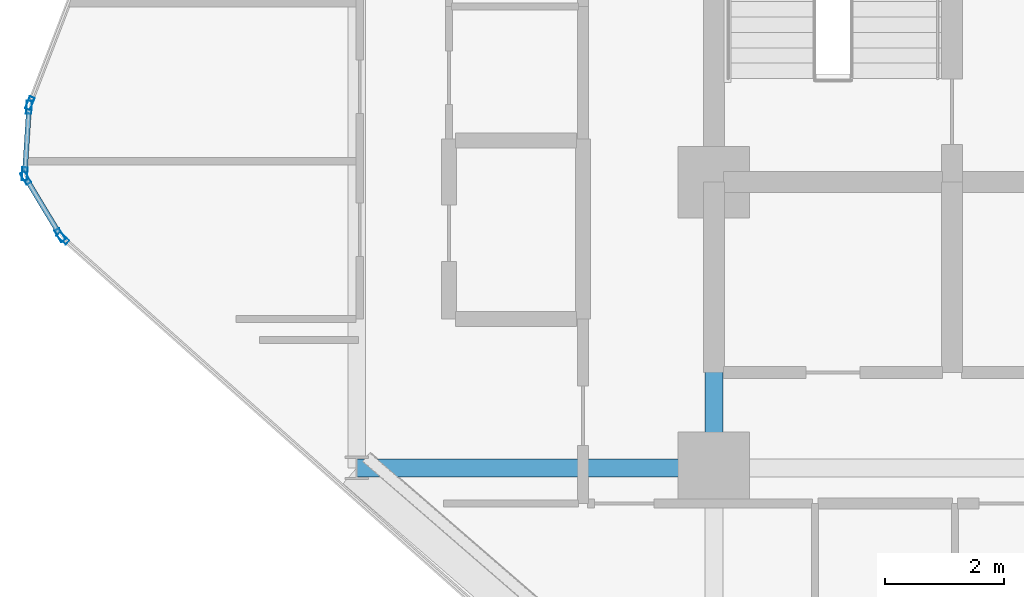
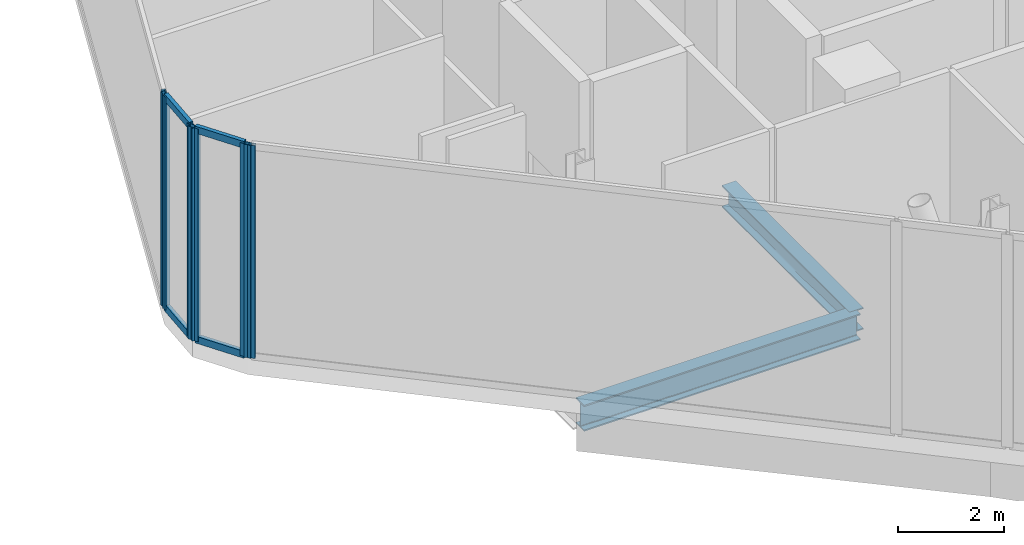
# One storey, part 6 of 36: 10 members, 2 beams, 4 elements without a shape of their own.
"""IFC4 building model written with IfcOpenShell, lengths in metres."""

from ifc_helpers import new_model, si_unit, direction, frame, origin, origin_2d, place, context, subcontext, project, spatial, hollow_rectangle, i_section, extrude, material, layer, layer_set, material_profile, profile_set, type_object, element, aggregate, save


model = new_model("IFC4")

# Units and contexts
model_context = context("Model", 3, precision=1e-05, world=origin(), true_north=direction((0.0, 1.0)))
body_context = subcontext(model_context, "Body", "Model", "MODEL_VIEW")
ifc_project = project(units=[si_unit("LENGTHUNIT", "METRE"), si_unit("AREAUNIT", "SQUARE_METRE"), si_unit("VOLUMEUNIT", "CUBIC_METRE"), si_unit("PLANEANGLEUNIT", "RADIAN"), si_unit("MASSUNIT", "GRAM", prefix="KILO")], contexts=[model_context])

# Site, building, storey
site_placement = place(None, origin())
site = spatial("IfcSite", under=ifc_project, at=site_placement, CompositionType="ELEMENT")
building_placement = place(site_placement, origin())
building = spatial("IfcBuilding", under=site, at=building_placement, Name="Keshet Zoharim Tower", CompositionType="ELEMENT")
storey_placement = place(building_placement, frame((0.0, 0.0, 81.199951171875)))
storey = spatial("IfcBuildingStorey", under=building, at=storey_placement, Name="L19", CompositionType="ELEMENT", Elevation=81.199951171875)

# Beams
ifc_material_1 = material(Name="Steel S355", Category="steel")
ifc_material_profile_1 = material_profile(ifc_material_1, i_section(OverallWidth=0.300048828125, OverallDepth=0.5, WebThickness=0.014404296875, FlangeThickness=0.028076171875, FilletRadius=0.027099609375, at=origin_2d()), Name="HEB500")
ifc_profile_set_1 = profile_set([ifc_material_profile_1], Name="Steel S355")
beam_type_1 = type_object("IfcBeamType", Name="BM-WEB-HB500", PredefinedType="BEAM", material=ifc_profile_set_1)
beam_1_placement = place(storey_placement, frame((15.0, 17.89990234375, -0.669921875), z_axis=(0.0, 1.0, 0.0), x_axis=(-1.0, 0.0, 0.0)))
element("IfcBeam", 1, at=beam_1_placement, inside=storey, type_object=beam_type_1, Name="L19 Primary Girder Y-003", PredefinedType="BEAM", context=body_context, shape_type="SweptSolid", body=[
    extrude(i_section(OverallWidth=0.300048828125, OverallDepth=0.5, WebThickness=0.014404296875, FlangeThickness=0.028076171875, FilletRadius=0.027099609375, at=origin_2d()), origin(), (0.0, 0.0, 1.0), 4.800048828125),
])
ifc_material_profile_2 = material_profile(ifc_material_1, i_section(OverallWidth=0.300048828125, OverallDepth=0.60009765625, WebThickness=0.015380859375, FlangeThickness=0.030029296875, FilletRadius=0.027099609375, at=origin_2d()), Name="HEB600")
ifc_profile_set_2 = profile_set([ifc_material_profile_2], Name="Steel S355")
beam_type_2 = type_object("IfcBeamType", Name="BM-WEB-HB600", PredefinedType="BEAM", material=ifc_profile_set_2)
beam_2_placement = place(storey_placement, frame((9.0, 17.89990234375, -0.719970703125), z_axis=(1.0, 0.0, 0.0), x_axis=(0.0, 1.0, 0.0)))
element("IfcBeam", 2, at=beam_2_placement, inside=storey, type_object=beam_type_2, Name="L19 Primary Girder X-015", PredefinedType="BEAM", context=body_context, shape_type="SweptSolid", body=[
    extrude(i_section(OverallWidth=0.300048828125, OverallDepth=0.60009765625, WebThickness=0.015380859375, FlangeThickness=0.030029296875, FilletRadius=0.027099609375, at=origin_2d()), origin(), (0.0, 0.0, 1.0), 6.0),
])

# Curtain wall, member
ifc_material_2 = material(Name="Aluminium 6063-T6", Category="aluminium")
ifc_layer = layer(ifc_material_2, 0.179931640625)
ifc_layer_set = layer_set([ifc_layer], Name="Aluminium 6063-T6")
curtain_wall_type = type_object("IfcCurtainWallType", Name="CW-SYS-01", PredefinedType="NOTDEFINED", material=ifc_layer_set)
curtain_wall_1_placement = place(storey_placement, origin())
curtain_wall_1 = element("IfcCurtainWall", 3, at=curtain_wall_1_placement, inside=storey, type_object=curtain_wall_type, Name="L19 Unitised Curtain Wall 01 Part 4", PredefinedType="NOTDEFINED")
ifc_material_profile_3 = material_profile(ifc_material_2, hollow_rectangle(XDim=0.090087890625, YDim=0.219970703125, WallThickness=0.0048828125, at=origin_2d()), Name="MUL-90x220")
ifc_profile_set_3 = profile_set([ifc_material_profile_3], Name="Aluminium 6063-T6")
member_type_1 = type_object("IfcMemberType", Name="CWM-M22", PredefinedType="MULLION", material=ifc_profile_set_3)
member_1_placement = place(storey_placement, frame((4.061279296875, 21.7568359375, 0.0), z_axis=(0.0, 0.0, 1.0), x_axis=(-0.664365339372, -0.747407984866, 0.0)))
member_1 = element("IfcMember", 4, at=member_1_placement, type_object=member_type_1, Name="CW-01 mullion 2", PredefinedType="MULLION", context=body_context, shape_type="SweptSolid", body=[
    extrude(hollow_rectangle(XDim=0.090087890625, YDim=0.219970703125, WallThickness=0.0048828125, at=origin_2d()), origin(), (0.0, 0.0, 1.0), 4.885009765625),
])
aggregate(curtain_wall_1, [member_1])

# Curtain wall, members
curtain_wall_2_placement = place(storey_placement, origin())
curtain_wall_2 = element("IfcCurtainWall", 5, at=curtain_wall_2_placement, inside=storey, type_object=curtain_wall_type, Name="L19 Unitised Curtain Wall 02", PredefinedType="NOTDEFINED")
member_2_placement = place(storey_placement, frame((4.016845703125, 21.81005859375, 0.0), z_axis=(0.0, 0.0, 1.0), x_axis=(-0.856826433805, -0.515604947933, 0.0)))
member_2 = element("IfcMember", 6, at=member_2_placement, type_object=member_type_1, Name="CW-01 mullion 1", PredefinedType="MULLION", context=body_context, shape_type="SweptSolid", body=[
    extrude(hollow_rectangle(XDim=0.090087890625, YDim=0.219970703125, WallThickness=0.0048828125, at=origin_2d()), origin(), (0.0, 0.0, 1.0), 4.885009765625),
])
member_3_placement = place(storey_placement, frame((3.43798828125, 22.77197265625, 0.0), z_axis=(0.0, 0.0, 1.0), x_axis=(-0.856826433805, -0.515604947933, 0.0)))
member_3 = element("IfcMember", 7, at=member_3_placement, type_object=member_type_1, Name="CW-01 mullion 2", PredefinedType="MULLION", context=body_context, shape_type="SweptSolid", body=[
    extrude(hollow_rectangle(XDim=0.090087890625, YDim=0.219970703125, WallThickness=0.0048828125, at=origin_2d()), origin(), (0.0, 0.0, 1.0), 4.885009765625),
])

curtain_wall_3_placement = place(storey_placement, origin())
curtain_wall_3 = element("IfcCurtainWall", 8, at=curtain_wall_3_placement, inside=storey, type_object=curtain_wall_type, Name="L19 Unitised Curtain Wall 03", PredefinedType="NOTDEFINED")
member_4_placement = place(storey_placement, frame((3.42236328125, 22.8369140625, 0.0), z_axis=(0.0, 0.0, 1.0), x_axis=(-0.997916617186, 0.064516859374, 0.0)))
member_4 = element("IfcMember", 9, at=member_4_placement, type_object=member_type_1, Name="CW-01 mullion 1", PredefinedType="MULLION", context=body_context, shape_type="SweptSolid", body=[
    extrude(hollow_rectangle(XDim=0.090087890625, YDim=0.219970703125, WallThickness=0.0048828125, at=origin_2d()), origin(), (0.0, 0.0, 1.0), 4.885009765625),
])
member_5_placement = place(storey_placement, frame((3.49462890625, 23.9580078125, 0.0), z_axis=(0.0, 0.0, 1.0), x_axis=(-0.997916617186, 0.064516859374, 0.0)))
member_5 = element("IfcMember", 10, at=member_5_placement, type_object=member_type_1, Name="CW-01 mullion 2", PredefinedType="MULLION", context=body_context, shape_type="SweptSolid", body=[
    extrude(hollow_rectangle(XDim=0.090087890625, YDim=0.219970703125, WallThickness=0.0048828125, at=origin_2d()), origin(), (0.0, 0.0, 1.0), 4.885009765625),
])

# Curtain wall, member
curtain_wall_4_placement = place(storey_placement, origin())
curtain_wall_4 = element("IfcCurtainWall", 11, at=curtain_wall_4_placement, inside=storey, type_object=curtain_wall_type, Name="L19 Unitised Curtain Wall 04", PredefinedType="NOTDEFINED")
member_6_placement = place(storey_placement, frame((3.509521484375, 24.025634765625, 0.0), z_axis=(0.0, 0.0, 1.0), x_axis=(-0.933341404361, 0.358990003907, 0.0)))
member_6 = element("IfcMember", 12, at=member_6_placement, type_object=member_type_1, Name="CW-01 mullion 1", PredefinedType="MULLION", context=body_context, shape_type="SweptSolid", body=[
    extrude(hollow_rectangle(XDim=0.090087890625, YDim=0.219970703125, WallThickness=0.0048828125, at=origin_2d()), origin(), (0.0, 0.0, 1.0), 4.885009765625),
])
aggregate(curtain_wall_4, [member_6])

# Member
ifc_material_profile_4 = material_profile(ifc_material_2, hollow_rectangle(XDim=0.0849609375, YDim=0.159912109375, WallThickness=0.00439453125, at=origin_2d()), Name="TRN-85x160")
ifc_profile_set_4 = profile_set([ifc_material_profile_4], Name="Aluminium 6063-T6")
member_type_2 = type_object("IfcMemberType", Name="CWT-T16", PredefinedType="USERDEFINED", material=ifc_profile_set_4)
member_7_placement = place(storey_placement, frame((3.9990234375, 21.840087890625, 0.03515625), z_axis=(-0.515791194107, 0.856714330499, 0.0), x_axis=(-0.856714330499, -0.515791194107, 0.0)))
member_7 = element("IfcMember", 13, at=member_7_placement, type_object=member_type_2, Name="CW-01 transom 1.1", ObjectType="TRANSOM", PredefinedType="USERDEFINED", context=body_context, shape_type="SweptSolid", body=[
    extrude(hollow_rectangle(XDim=0.0849609375, YDim=0.159912109375, WallThickness=0.00439453125, at=origin_2d()), origin(), (0.0, 0.0, 1.0), 1.052734375),
])

member_8_placement = place(storey_placement, frame((3.9990234375, 21.840087890625, 4.85009765625), z_axis=(-0.515791194107, 0.856714330499, 0.0), x_axis=(-0.856714330499, -0.515791194107, 0.0)))
member_8 = element("IfcMember", 14, at=member_8_placement, type_object=member_type_2, Name="CW-01 transom 1.2", ObjectType="TRANSOM", PredefinedType="USERDEFINED", context=body_context, shape_type="SweptSolid", body=[
    extrude(hollow_rectangle(XDim=0.0849609375, YDim=0.159912109375, WallThickness=0.00439453125, at=origin_2d()), origin(), (0.0, 0.0, 1.0), 1.052734375),
])

aggregate(curtain_wall_2, [member_2, member_3, member_7, member_8])

member_9_placement = place(storey_placement, frame((3.424560546875, 22.871826171875, 0.03515625), z_axis=(0.064426947155, 0.997922426083, 0.0), x_axis=(-0.997922426083, 0.064426947155, 0.0)))
member_9 = element("IfcMember", 15, at=member_9_placement, type_object=member_type_2, Name="CW-01 transom 1.1", ObjectType="TRANSOM", PredefinedType="USERDEFINED", context=body_context, shape_type="SweptSolid", body=[
    extrude(hollow_rectangle(XDim=0.0849609375, YDim=0.159912109375, WallThickness=0.00439453125, at=origin_2d()), origin(), (0.0, 0.0, 1.0), 1.053466796875),
])

member_10_placement = place(storey_placement, frame((3.424560546875, 22.871826171875, 4.85009765625), z_axis=(0.064426947155, 0.997922426083, 0.0), x_axis=(-0.997922426083, 0.064426947155, 0.0)))
member_10 = element("IfcMember", 16, at=member_10_placement, type_object=member_type_2, Name="CW-01 transom 1.2", ObjectType="TRANSOM", PredefinedType="USERDEFINED", context=body_context, shape_type="SweptSolid", body=[
    extrude(hollow_rectangle(XDim=0.0849609375, YDim=0.159912109375, WallThickness=0.00439453125, at=origin_2d()), origin(), (0.0, 0.0, 1.0), 1.053466796875),
])

aggregate(curtain_wall_3, [member_4, member_5, member_9, member_10])

save(model, "model.ifc")
